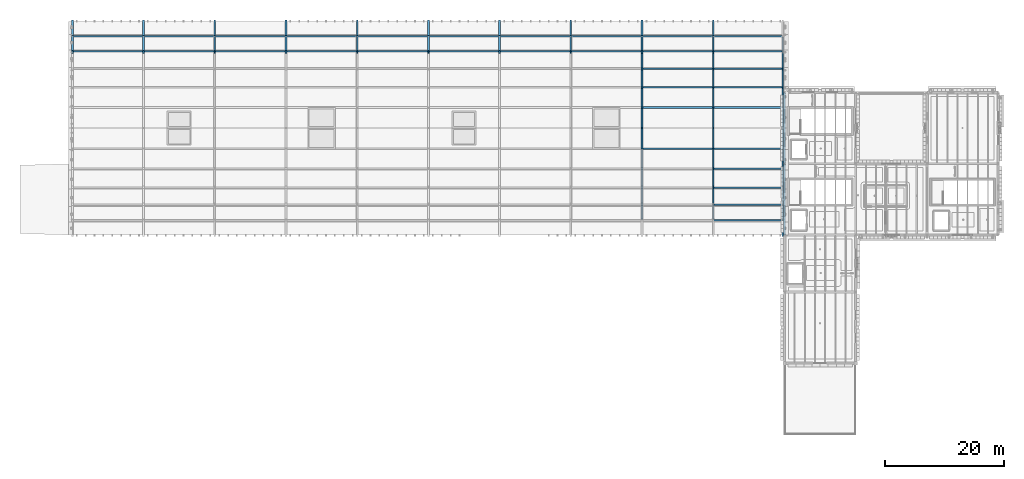
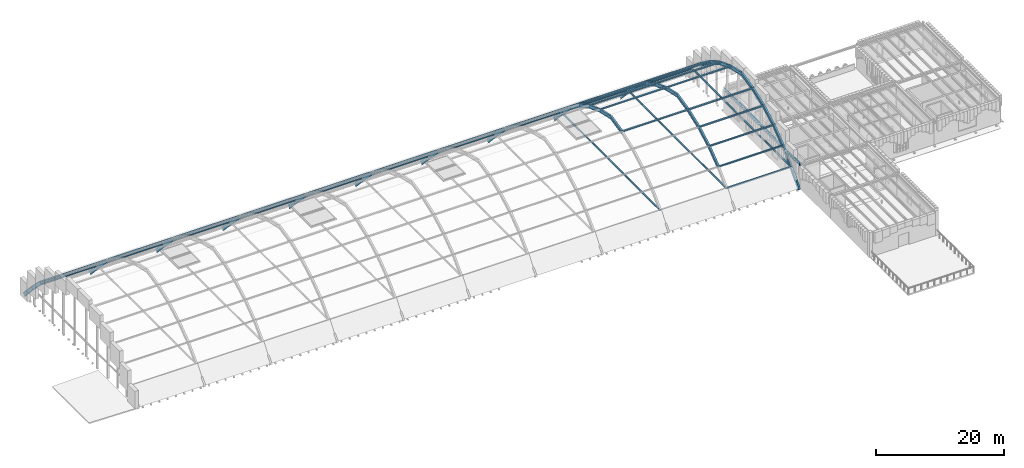
# One storey, part 7 of 35: 77 beams, 3 members.
"""IFC4 building model written with IfcOpenShell, lengths in metres."""

from ifc_helpers import new_model, si_unit, direction, frame, origin, origin_2d, place, context, subcontext, project, spatial, hollow_circle, i_section, extrude, material, material_profile, profile_set, type_object, element, save


model = new_model("IFC4")

# Units and contexts
model_context = context("Model", 3, precision=1e-05, world=origin(), true_north=direction((0.0, 1.0)))
body_context = subcontext(model_context, "Body", "Model", "MODEL_VIEW")
ifc_project = project(units=[si_unit("LENGTHUNIT", "METRE"), si_unit("AREAUNIT", "SQUARE_METRE"), si_unit("VOLUMEUNIT", "CUBIC_METRE"), si_unit("PLANEANGLEUNIT", "RADIAN"), si_unit("MASSUNIT", "GRAM", prefix="KILO")], contexts=[model_context])

# Site, building, storey
site_placement = place(None, origin())
site = spatial("IfcSite", under=ifc_project, at=site_placement, CompositionType="ELEMENT")
building_placement = place(site_placement, origin())
building = spatial("IfcBuilding", under=site, at=building_placement, Name="Zlatogorsky Bluff Art Gallery", CompositionType="ELEMENT")
storey_placement = place(building_placement, frame((0.0, 0.0, 23.39990234375)))
storey = spatial("IfcBuildingStorey", under=building, at=storey_placement, Name="L04", CompositionType="ELEMENT", Elevation=23.39990234375)

# Beams
ifc_material = material(Name="Steel S355", Category="steel")
ifc_material_profile_1 = material_profile(ifc_material, i_section(OverallWidth=0.300048828125, OverallDepth=0.389892578125, WebThickness=0.010986328125, FlangeThickness=0.01904296875, FilletRadius=0.027099609375, at=origin_2d()), Name="HEA 400")
ifc_profile_set_1 = profile_set([ifc_material_profile_1], Name="Steel S355")
beam_type_1 = type_object("IfcBeamType", Name="Beam BM-09 HEA 400", PredefinedType="BEAM", material=ifc_profile_set_1)
for number, where, z_axis, x_axis, name in (
    (1, (120.0, 84.014892578125, 4.364990234375), (0.0, 1.0, 0.0), (-1.0, 0.0, 0.0), "Primary girder BM-09 L04 L/9-10"),
    (2, (120.0, 96.014892578125, 4.364990234375), (0.0, 1.0, 0.0), (-1.0, 0.0, 0.0), "Primary girder BM-09 L04 L/10-11"),
):
    element("IfcBeam", number, at=place(storey_placement, frame(where, z_axis=z_axis, x_axis=x_axis)), inside=storey, type_object=beam_type_1, Name=name, PredefinedType="BEAM", context=body_context, shape_type="SweptSolid", body=[
        extrude(i_section(OverallWidth=0.300048828125, OverallDepth=0.389892578125, WebThickness=0.010986328125, FlangeThickness=0.01904296875, FilletRadius=0.027099609375, at=origin_2d()), origin(), (0.0, 0.0, 1.0), 11.97021484375),
    ])
ifc_material_profile_2 = material_profile(ifc_material, i_section(OverallWidth=0.260009765625, OverallDepth=0.25, WebThickness=0.007568359375, FlangeThickness=0.012451171875, FilletRadius=0.02392578125, at=origin_2d()), Name="HEA 260")
ifc_profile_set_2 = profile_set([ifc_material_profile_2], Name="Steel S355")
beam_type_2 = type_object("IfcBeamType", Name="Beam PR-01 HEA 260", PredefinedType="BEAM", material=ifc_profile_set_2)
for number, where, z_axis, x_axis, name in (
    (3, (0.06494140625, 114.94189453125, 5.247802734375), (1.0, 0.0, 0.0), (0.0, 1.0, 0.0), "Barrel vault longitudinal purlin bay 1 node 10"),
    (4, (0.06494140625, 117.504638671875, 2.688720703125), (1.0, 0.0, 0.0), (0.0, 1.0, 0.0), "Barrel vault longitudinal purlin bay 1 node 11"),
):
    element("IfcBeam", number, at=place(storey_placement, frame(where, z_axis=z_axis, x_axis=x_axis)), inside=storey, type_object=beam_type_2, Name=name, PredefinedType="BEAM", context=body_context, shape_type="SweptSolid", body=[
        extrude(i_section(OverallWidth=0.260009765625, OverallDepth=0.25, WebThickness=0.007568359375, FlangeThickness=0.012451171875, FilletRadius=0.02392578125, at=origin_2d()), origin(), (0.0, 0.0, 1.0), 11.920166015625),
    ])
for number, where, z_axis, x_axis, name in (
    (5, (12.014892578125, 114.94189453125, 5.247802734375), (1.0, 0.0, 0.0), (0.0, 1.0, 0.0), "Barrel vault longitudinal purlin bay 2 node 10"),
    (6, (12.014892578125, 117.504638671875, 2.688720703125), (1.0, 0.0, 0.0), (0.0, 1.0, 0.0), "Barrel vault longitudinal purlin bay 2 node 11"),
    (7, (24.014892578125, 114.94189453125, 5.247802734375), (1.0, 0.0, 0.0), (0.0, 1.0, 0.0), "Barrel vault longitudinal purlin bay 3 node 10"),
    (8, (24.014892578125, 117.504638671875, 2.688720703125), (1.0, 0.0, 0.0), (0.0, 1.0, 0.0), "Barrel vault longitudinal purlin bay 3 node 11"),
    (9, (36.014892578125, 114.94189453125, 5.247802734375), (1.0, 0.0, 0.0), (0.0, 1.0, 0.0), "Barrel vault longitudinal purlin bay 4 node 10"),
    (10, (36.014892578125, 117.504638671875, 2.688720703125), (1.0, 0.0, 0.0), (0.0, 1.0, 0.0), "Barrel vault longitudinal purlin bay 4 node 11"),
    (11, (48.014892578125, 114.94189453125, 5.247802734375), (1.0, 0.0, 0.0), (0.0, 1.0, 0.0), "Barrel vault longitudinal purlin bay 5 node 10"),
    (12, (48.014892578125, 117.504638671875, 2.688720703125), (1.0, 0.0, 0.0), (0.0, 1.0, 0.0), "Barrel vault longitudinal purlin bay 5 node 11"),
    (13, (60.014892578125, 114.94189453125, 5.247802734375), (1.0, 0.0, 0.0), (0.0, 1.0, 0.0), "Barrel vault longitudinal purlin bay 6 node 10"),
    (14, (60.014892578125, 117.504638671875, 2.688720703125), (1.0, 0.0, 0.0), (0.0, 1.0, 0.0), "Barrel vault longitudinal purlin bay 6 node 11"),
    (15, (72.014892578125, 114.94189453125, 5.247802734375), (1.0, 0.0, 0.0), (0.0, 1.0, 0.0), "Barrel vault longitudinal purlin bay 7 node 10"),
    (16, (72.014892578125, 117.504638671875, 2.688720703125), (1.0, 0.0, 0.0), (0.0, 1.0, 0.0), "Barrel vault longitudinal purlin bay 7 node 11"),
    (17, (84.014892578125, 114.94189453125, 5.247802734375), (1.0, 0.0, 0.0), (0.0, 1.0, 0.0), "Barrel vault longitudinal purlin bay 8 node 10"),
    (18, (84.014892578125, 117.504638671875, 2.688720703125), (1.0, 0.0, 0.0), (0.0, 1.0, 0.0), "Barrel vault longitudinal purlin bay 8 node 11"),
    (19, (96.014892578125, 98.520751953125, 10.438232421875), (1.0, 0.0, 0.0), (0.0, 1.0, 0.0), "Barrel vault longitudinal purlin bay 9 node 5"),
    (20, (96.014892578125, 105.479248046875, 10.438232421875), (1.0, 0.0, 0.0), (0.0, 1.0, 0.0), "Barrel vault longitudinal purlin bay 9 node 7"),
    (21, (96.014892578125, 108.868408203125, 9.16162109375), (1.0, 0.0, 0.0), (0.0, 1.0, 0.0), "Barrel vault longitudinal purlin bay 9 node 8"),
    (22, (96.014892578125, 112.0439453125, 7.419921875), (1.0, 0.0, 0.0), (0.0, 1.0, 0.0), "Barrel vault longitudinal purlin bay 9 node 9"),
    (23, (96.014892578125, 114.94189453125, 5.247802734375), (1.0, 0.0, 0.0), (0.0, 1.0, 0.0), "Barrel vault longitudinal purlin bay 9 node 10"),
    (24, (96.014892578125, 117.504638671875, 2.688720703125), (1.0, 0.0, 0.0), (0.0, 1.0, 0.0), "Barrel vault longitudinal purlin bay 9 node 11"),
):
    element("IfcBeam", number, at=place(storey_placement, frame(where, z_axis=z_axis, x_axis=x_axis)), inside=storey, type_object=beam_type_2, Name=name, PredefinedType="BEAM", context=body_context, shape_type="SweptSolid", body=[
        extrude(i_section(OverallWidth=0.260009765625, OverallDepth=0.25, WebThickness=0.007568359375, FlangeThickness=0.012451171875, FilletRadius=0.02392578125, at=origin_2d()), origin(), (0.0, 0.0, 1.0), 11.97021484375),
    ])
for number, where, z_axis, x_axis, name in (
    (25, (108.014892578125, 86.495361328125, 2.688720703125), (1.0, 0.0, 0.0), (0.0, 1.0, 0.0), "Barrel vault longitudinal purlin bay 10 node 1"),
    (26, (108.014892578125, 89.05810546875, 5.247802734375), (1.0, 0.0, 0.0), (0.0, 1.0, 0.0), "Barrel vault longitudinal purlin bay 10 node 2"),
    (27, (108.014892578125, 91.9560546875, 7.419921875), (1.0, 0.0, 0.0), (0.0, 1.0, 0.0), "Barrel vault longitudinal purlin bay 10 node 3"),
    (28, (108.014892578125, 95.131591796875, 9.16162109375), (1.0, 0.0, 0.0), (0.0, 1.0, 0.0), "Barrel vault longitudinal purlin bay 10 node 4"),
    (29, (108.014892578125, 98.520751953125, 10.438232421875), (1.0, 0.0, 0.0), (0.0, 1.0, 0.0), "Barrel vault longitudinal purlin bay 10 node 5"),
    (30, (108.014892578125, 105.479248046875, 10.438232421875), (1.0, 0.0, 0.0), (0.0, 1.0, 0.0), "Barrel vault longitudinal purlin bay 10 node 7"),
    (31, (108.014892578125, 108.868408203125, 9.16162109375), (1.0, 0.0, 0.0), (0.0, 1.0, 0.0), "Barrel vault longitudinal purlin bay 10 node 8"),
    (32, (108.014892578125, 112.0439453125, 7.419921875), (1.0, 0.0, 0.0), (0.0, 1.0, 0.0), "Barrel vault longitudinal purlin bay 10 node 9"),
    (33, (108.014892578125, 114.94189453125, 5.247802734375), (1.0, 0.0, 0.0), (0.0, 1.0, 0.0), "Barrel vault longitudinal purlin bay 10 node 10"),
    (34, (108.014892578125, 117.504638671875, 2.688720703125), (1.0, 0.0, 0.0), (0.0, 1.0, 0.0), "Barrel vault longitudinal purlin bay 10 node 11"),
):
    element("IfcBeam", number, at=place(storey_placement, frame(where, z_axis=z_axis, x_axis=x_axis)), inside=storey, type_object=beam_type_2, Name=name, PredefinedType="BEAM", context=body_context, shape_type="SweptSolid", body=[
        extrude(i_section(OverallWidth=0.260009765625, OverallDepth=0.25, WebThickness=0.007568359375, FlangeThickness=0.012451171875, FilletRadius=0.02392578125, at=origin_2d()), origin(), (0.0, 0.0, 1.0), 11.670166015625),
    ])
ifc_material_profile_3 = material_profile(ifc_material, i_section(OverallWidth=0.300048828125, OverallDepth=0.64990234375, WebThickness=0.01611328125, FlangeThickness=0.031005859375, FilletRadius=0.027099609375, at=origin_2d()), Name="HEB 650")
ifc_profile_set_3 = profile_set([ifc_material_profile_3], Name="Steel S355")
beam_type_3 = type_object("IfcBeamType", Name="Beam VR-01 HEB 650", PredefinedType="BEAM", material=ifc_profile_set_3)
beam_1_placement = place(storey_placement, frame((0.050048828125, 114.83056640625, 5.119140625), z_axis=(0.0, 0.707615576313, -0.706597619696), x_axis=(-1.0, 0.0, 0.0)))
element("IfcBeam", 35, at=beam_1_placement, inside=storey, type_object=beam_type_3, Name="Barrel vault pointed arch rib VR-01 A.11", PredefinedType="BEAM", context=body_context, shape_type="SweptSolid", body=[
    extrude(i_section(OverallWidth=0.300048828125, OverallDepth=0.64990234375, WebThickness=0.01611328125, FlangeThickness=0.031005859375, FilletRadius=0.027099609375, at=origin_2d()), origin(), (0.0, 0.0, 1.0), 3.597412109375),
])
beam_2_placement = place(storey_placement, frame((0.050048828125, 117.376220703125, 2.5771484375), z_axis=(0.0, 0.677448622917, -0.735570094082), x_axis=(-1.0, 0.0, 0.0)))
element("IfcBeam", 36, at=beam_2_placement, inside=storey, type_object=beam_type_3, Name="Barrel vault pointed arch rib VR-01 A.12", PredefinedType="BEAM", context=body_context, shape_type="SweptSolid", body=[
    extrude(i_section(OverallWidth=0.300048828125, OverallDepth=0.64990234375, WebThickness=0.01611328125, FlangeThickness=0.031005859375, FilletRadius=0.027099609375, at=origin_2d()), origin(), (0.0, 0.0, 1.0), 3.843505859375),
])
beam_3_placement = place(storey_placement, frame((12.0, 114.83056640625, 5.119140625), z_axis=(0.0, 0.707615576313, -0.706597619696), x_axis=(-1.0, 0.0, 0.0)))
element("IfcBeam", 37, at=beam_3_placement, inside=storey, type_object=beam_type_3, Name="Barrel vault pointed arch rib VR-01 B.11", PredefinedType="BEAM", context=body_context, shape_type="SweptSolid", body=[
    extrude(i_section(OverallWidth=0.300048828125, OverallDepth=0.64990234375, WebThickness=0.01611328125, FlangeThickness=0.031005859375, FilletRadius=0.027099609375, at=origin_2d()), origin(), (0.0, 0.0, 1.0), 3.597412109375),
])
beam_4_placement = place(storey_placement, frame((12.0, 117.376220703125, 2.5771484375), z_axis=(0.0, 0.677448622917, -0.735570094082), x_axis=(-1.0, 0.0, 0.0)))
element("IfcBeam", 38, at=beam_4_placement, inside=storey, type_object=beam_type_3, Name="Barrel vault pointed arch rib VR-01 B.12", PredefinedType="BEAM", context=body_context, shape_type="SweptSolid", body=[
    extrude(i_section(OverallWidth=0.300048828125, OverallDepth=0.64990234375, WebThickness=0.01611328125, FlangeThickness=0.031005859375, FilletRadius=0.027099609375, at=origin_2d()), origin(), (0.0, 0.0, 1.0), 3.843505859375),
])
beam_5_placement = place(storey_placement, frame((24.0, 114.83056640625, 5.119140625), z_axis=(0.0, 0.707615576313, -0.706597619696), x_axis=(-1.0, 0.0, 0.0)))
element("IfcBeam", 39, at=beam_5_placement, inside=storey, type_object=beam_type_3, Name="Barrel vault pointed arch rib VR-01 C.11", PredefinedType="BEAM", context=body_context, shape_type="SweptSolid", body=[
    extrude(i_section(OverallWidth=0.300048828125, OverallDepth=0.64990234375, WebThickness=0.01611328125, FlangeThickness=0.031005859375, FilletRadius=0.027099609375, at=origin_2d()), origin(), (0.0, 0.0, 1.0), 3.597412109375),
])
beam_6_placement = place(storey_placement, frame((24.0, 117.376220703125, 2.5771484375), z_axis=(0.0, 0.677448622917, -0.735570094082), x_axis=(-1.0, 0.0, 0.0)))
element("IfcBeam", 40, at=beam_6_placement, inside=storey, type_object=beam_type_3, Name="Barrel vault pointed arch rib VR-01 C.12", PredefinedType="BEAM", context=body_context, shape_type="SweptSolid", body=[
    extrude(i_section(OverallWidth=0.300048828125, OverallDepth=0.64990234375, WebThickness=0.01611328125, FlangeThickness=0.031005859375, FilletRadius=0.027099609375, at=origin_2d()), origin(), (0.0, 0.0, 1.0), 3.843505859375),
])
beam_7_placement = place(storey_placement, frame((36.0, 114.83056640625, 5.119140625), z_axis=(0.0, 0.707615576313, -0.706597619696), x_axis=(-1.0, 0.0, 0.0)))
element("IfcBeam", 41, at=beam_7_placement, inside=storey, type_object=beam_type_3, Name="Barrel vault pointed arch rib VR-01 D.11", PredefinedType="BEAM", context=body_context, shape_type="SweptSolid", body=[
    extrude(i_section(OverallWidth=0.300048828125, OverallDepth=0.64990234375, WebThickness=0.01611328125, FlangeThickness=0.031005859375, FilletRadius=0.027099609375, at=origin_2d()), origin(), (0.0, 0.0, 1.0), 3.597412109375),
])
beam_8_placement = place(storey_placement, frame((36.0, 117.376220703125, 2.5771484375), z_axis=(0.0, 0.677448622917, -0.735570094082), x_axis=(-1.0, 0.0, 0.0)))
element("IfcBeam", 42, at=beam_8_placement, inside=storey, type_object=beam_type_3, Name="Barrel vault pointed arch rib VR-01 D.12", PredefinedType="BEAM", context=body_context, shape_type="SweptSolid", body=[
    extrude(i_section(OverallWidth=0.300048828125, OverallDepth=0.64990234375, WebThickness=0.01611328125, FlangeThickness=0.031005859375, FilletRadius=0.027099609375, at=origin_2d()), origin(), (0.0, 0.0, 1.0), 3.843505859375),
])
beam_9_placement = place(storey_placement, frame((48.0, 114.83056640625, 5.119140625), z_axis=(0.0, 0.707615576313, -0.706597619696), x_axis=(-1.0, 0.0, 0.0)))
element("IfcBeam", 43, at=beam_9_placement, inside=storey, type_object=beam_type_3, Name="Barrel vault pointed arch rib VR-01 E.11", PredefinedType="BEAM", context=body_context, shape_type="SweptSolid", body=[
    extrude(i_section(OverallWidth=0.300048828125, OverallDepth=0.64990234375, WebThickness=0.01611328125, FlangeThickness=0.031005859375, FilletRadius=0.027099609375, at=origin_2d()), origin(), (0.0, 0.0, 1.0), 3.597412109375),
])
beam_10_placement = place(storey_placement, frame((48.0, 117.376220703125, 2.5771484375), z_axis=(0.0, 0.677448622917, -0.735570094082), x_axis=(-1.0, 0.0, 0.0)))
element("IfcBeam", 44, at=beam_10_placement, inside=storey, type_object=beam_type_3, Name="Barrel vault pointed arch rib VR-01 E.12", PredefinedType="BEAM", context=body_context, shape_type="SweptSolid", body=[
    extrude(i_section(OverallWidth=0.300048828125, OverallDepth=0.64990234375, WebThickness=0.01611328125, FlangeThickness=0.031005859375, FilletRadius=0.027099609375, at=origin_2d()), origin(), (0.0, 0.0, 1.0), 3.843505859375),
])
beam_11_placement = place(storey_placement, frame((60.0, 114.83056640625, 5.119140625), z_axis=(0.0, 0.707615576313, -0.706597619696), x_axis=(-1.0, 0.0, 0.0)))
element("IfcBeam", 45, at=beam_11_placement, inside=storey, type_object=beam_type_3, Name="Barrel vault pointed arch rib VR-01 F.11", PredefinedType="BEAM", context=body_context, shape_type="SweptSolid", body=[
    extrude(i_section(OverallWidth=0.300048828125, OverallDepth=0.64990234375, WebThickness=0.01611328125, FlangeThickness=0.031005859375, FilletRadius=0.027099609375, at=origin_2d()), origin(), (0.0, 0.0, 1.0), 3.597412109375),
])
beam_12_placement = place(storey_placement, frame((60.0, 117.376220703125, 2.5771484375), z_axis=(0.0, 0.677448622917, -0.735570094082), x_axis=(-1.0, 0.0, 0.0)))
element("IfcBeam", 46, at=beam_12_placement, inside=storey, type_object=beam_type_3, Name="Barrel vault pointed arch rib VR-01 F.12", PredefinedType="BEAM", context=body_context, shape_type="SweptSolid", body=[
    extrude(i_section(OverallWidth=0.300048828125, OverallDepth=0.64990234375, WebThickness=0.01611328125, FlangeThickness=0.031005859375, FilletRadius=0.027099609375, at=origin_2d()), origin(), (0.0, 0.0, 1.0), 3.843505859375),
])
beam_13_placement = place(storey_placement, frame((72.0, 114.83056640625, 5.119140625), z_axis=(0.0, 0.707615576313, -0.706597619696), x_axis=(-1.0, 0.0, 0.0)))
element("IfcBeam", 47, at=beam_13_placement, inside=storey, type_object=beam_type_3, Name="Barrel vault pointed arch rib VR-01 G.11", PredefinedType="BEAM", context=body_context, shape_type="SweptSolid", body=[
    extrude(i_section(OverallWidth=0.300048828125, OverallDepth=0.64990234375, WebThickness=0.01611328125, FlangeThickness=0.031005859375, FilletRadius=0.027099609375, at=origin_2d()), origin(), (0.0, 0.0, 1.0), 3.597412109375),
])
beam_14_placement = place(storey_placement, frame((72.0, 117.376220703125, 2.5771484375), z_axis=(0.0, 0.677448622917, -0.735570094082), x_axis=(-1.0, 0.0, 0.0)))
element("IfcBeam", 48, at=beam_14_placement, inside=storey, type_object=beam_type_3, Name="Barrel vault pointed arch rib VR-01 G.12", PredefinedType="BEAM", context=body_context, shape_type="SweptSolid", body=[
    extrude(i_section(OverallWidth=0.300048828125, OverallDepth=0.64990234375, WebThickness=0.01611328125, FlangeThickness=0.031005859375, FilletRadius=0.027099609375, at=origin_2d()), origin(), (0.0, 0.0, 1.0), 3.843505859375),
])
beam_15_placement = place(storey_placement, frame((84.0, 114.83056640625, 5.119140625), z_axis=(0.0, 0.707615576313, -0.706597619696), x_axis=(-1.0, 0.0, 0.0)))
element("IfcBeam", 49, at=beam_15_placement, inside=storey, type_object=beam_type_3, Name="Barrel vault pointed arch rib VR-01 H.11", PredefinedType="BEAM", context=body_context, shape_type="SweptSolid", body=[
    extrude(i_section(OverallWidth=0.300048828125, OverallDepth=0.64990234375, WebThickness=0.01611328125, FlangeThickness=0.031005859375, FilletRadius=0.027099609375, at=origin_2d()), origin(), (0.0, 0.0, 1.0), 3.597412109375),
])
beam_16_placement = place(storey_placement, frame((84.0, 117.376220703125, 2.5771484375), z_axis=(0.0, 0.677448622917, -0.735570094082), x_axis=(-1.0, 0.0, 0.0)))
element("IfcBeam", 50, at=beam_16_placement, inside=storey, type_object=beam_type_3, Name="Barrel vault pointed arch rib VR-01 H.12", PredefinedType="BEAM", context=body_context, shape_type="SweptSolid", body=[
    extrude(i_section(OverallWidth=0.300048828125, OverallDepth=0.64990234375, WebThickness=0.01611328125, FlangeThickness=0.031005859375, FilletRadius=0.027099609375, at=origin_2d()), origin(), (0.0, 0.0, 1.0), 3.843505859375),
])
for number, where, z_axis, x_axis, name in (
    (51, (96.0, 98.5693359375, 10.275390625), (0.0, 0.97544148317, 0.220258740827), (-1.0, 0.0, 0.0), "Barrel vault pointed arch rib VR-01 J.6"),
    (52, (96.0, 102.0, 11.050048828125), (0.0, 0.97544148317, -0.220258740827), (-1.0, 0.0, 0.0), "Barrel vault pointed arch rib VR-01 J.7"),
):
    element("IfcBeam", number, at=place(storey_placement, frame(where, z_axis=z_axis, x_axis=x_axis)), inside=storey, type_object=beam_type_3, Name=name, PredefinedType="BEAM", context=body_context, shape_type="SweptSolid", body=[
        extrude(i_section(OverallWidth=0.300048828125, OverallDepth=0.64990234375, WebThickness=0.01611328125, FlangeThickness=0.031005859375, FilletRadius=0.027099609375, at=origin_2d()), origin(), (0.0, 0.0, 1.0), 3.51708984375),
    ])
beam_17_placement = place(storey_placement, frame((96.0, 105.4306640625, 10.275390625), z_axis=(0.0, 0.935806673687, -0.352513644392), x_axis=(-1.0, 0.0, 0.0)))
element("IfcBeam", 53, at=beam_17_placement, inside=storey, type_object=beam_type_3, Name="Barrel vault pointed arch rib VR-01 J.8", PredefinedType="BEAM", context=body_context, shape_type="SweptSolid", body=[
    extrude(i_section(OverallWidth=0.300048828125, OverallDepth=0.64990234375, WebThickness=0.01611328125, FlangeThickness=0.031005859375, FilletRadius=0.027099609375, at=origin_2d()), origin(), (0.0, 0.0, 1.0), 3.597900390625),
])
beam_18_placement = place(storey_placement, frame((96.0, 108.797607421875, 9.007080078125), z_axis=(0.0, 0.876744100789, -0.480957151659), x_axis=(-1.0, 0.0, 0.0)))
element("IfcBeam", 54, at=beam_18_placement, inside=storey, type_object=beam_type_3, Name="Barrel vault pointed arch rib VR-01 J.9", PredefinedType="BEAM", context=body_context, shape_type="SweptSolid", body=[
    extrude(i_section(OverallWidth=0.300048828125, OverallDepth=0.64990234375, WebThickness=0.01611328125, FlangeThickness=0.031005859375, FilletRadius=0.027099609375, at=origin_2d()), origin(), (0.0, 0.0, 1.0), 3.597412109375),
])
beam_19_placement = place(storey_placement, frame((96.0, 111.95166015625, 7.27685546875), z_axis=(0.0, 0.800195391986, -0.599739388939), x_axis=(-1.0, 0.0, 0.0)))
element("IfcBeam", 55, at=beam_19_placement, inside=storey, type_object=beam_type_3, Name="Barrel vault pointed arch rib VR-01 J.10", PredefinedType="BEAM", context=body_context, shape_type="SweptSolid", body=[
    extrude(i_section(OverallWidth=0.300048828125, OverallDepth=0.64990234375, WebThickness=0.01611328125, FlangeThickness=0.031005859375, FilletRadius=0.027099609375, at=origin_2d()), origin(), (0.0, 0.0, 1.0), 3.59765625),
])
beam_20_placement = place(storey_placement, frame((96.0, 114.83056640625, 5.119140625), z_axis=(0.0, 0.707615576313, -0.706597619696), x_axis=(-1.0, 0.0, 0.0)))
element("IfcBeam", 56, at=beam_20_placement, inside=storey, type_object=beam_type_3, Name="Barrel vault pointed arch rib VR-01 J.11", PredefinedType="BEAM", context=body_context, shape_type="SweptSolid", body=[
    extrude(i_section(OverallWidth=0.300048828125, OverallDepth=0.64990234375, WebThickness=0.01611328125, FlangeThickness=0.031005859375, FilletRadius=0.027099609375, at=origin_2d()), origin(), (0.0, 0.0, 1.0), 3.597412109375),
])
beam_21_placement = place(storey_placement, frame((96.0, 117.376220703125, 2.5771484375), z_axis=(0.0, 0.677448622917, -0.735570094082), x_axis=(-1.0, 0.0, 0.0)))
element("IfcBeam", 57, at=beam_21_placement, inside=storey, type_object=beam_type_3, Name="Barrel vault pointed arch rib VR-01 J.12", PredefinedType="BEAM", context=body_context, shape_type="SweptSolid", body=[
    extrude(i_section(OverallWidth=0.300048828125, OverallDepth=0.64990234375, WebThickness=0.01611328125, FlangeThickness=0.031005859375, FilletRadius=0.027099609375, at=origin_2d()), origin(), (0.0, 0.0, 1.0), 3.843505859375),
])
beam_22_placement = place(storey_placement, frame((108.0, 89.16943359375, 5.119140625), z_axis=(0.0, 0.800195391986, 0.599739388939), x_axis=(-1.0, 0.0, 0.0)))
element("IfcBeam", 58, at=beam_22_placement, inside=storey, type_object=beam_type_3, Name="Barrel vault pointed arch rib VR-01 K.3", PredefinedType="BEAM", context=body_context, shape_type="SweptSolid", body=[
    extrude(i_section(OverallWidth=0.300048828125, OverallDepth=0.64990234375, WebThickness=0.01611328125, FlangeThickness=0.031005859375, FilletRadius=0.027099609375, at=origin_2d()), origin(), (0.0, 0.0, 1.0), 3.59765625),
])
beam_23_placement = place(storey_placement, frame((108.0, 92.04833984375, 7.27685546875), z_axis=(0.0, 0.876744100789, 0.480957151659), x_axis=(-1.0, 0.0, 0.0)))
element("IfcBeam", 59, at=beam_23_placement, inside=storey, type_object=beam_type_3, Name="Barrel vault pointed arch rib VR-01 K.4", PredefinedType="BEAM", context=body_context, shape_type="SweptSolid", body=[
    extrude(i_section(OverallWidth=0.300048828125, OverallDepth=0.64990234375, WebThickness=0.01611328125, FlangeThickness=0.031005859375, FilletRadius=0.027099609375, at=origin_2d()), origin(), (0.0, 0.0, 1.0), 3.597412109375),
])
beam_24_placement = place(storey_placement, frame((108.0, 95.202392578125, 9.007080078125), z_axis=(0.0, 0.935806673687, 0.352513644392), x_axis=(-1.0, 0.0, 0.0)))
element("IfcBeam", 60, at=beam_24_placement, inside=storey, type_object=beam_type_3, Name="Barrel vault pointed arch rib VR-01 K.5", PredefinedType="BEAM", context=body_context, shape_type="SweptSolid", body=[
    extrude(i_section(OverallWidth=0.300048828125, OverallDepth=0.64990234375, WebThickness=0.01611328125, FlangeThickness=0.031005859375, FilletRadius=0.027099609375, at=origin_2d()), origin(), (0.0, 0.0, 1.0), 3.597900390625),
])
for number, where, z_axis, x_axis, name in (
    (61, (108.0, 98.5693359375, 10.275390625), (0.0, 0.97544148317, 0.220258740827), (-1.0, 0.0, 0.0), "Barrel vault pointed arch rib VR-01 K.6"),
    (62, (108.0, 102.0, 11.050048828125), (0.0, 0.97544148317, -0.220258740827), (-1.0, 0.0, 0.0), "Barrel vault pointed arch rib VR-01 K.7"),
):
    element("IfcBeam", number, at=place(storey_placement, frame(where, z_axis=z_axis, x_axis=x_axis)), inside=storey, type_object=beam_type_3, Name=name, PredefinedType="BEAM", context=body_context, shape_type="SweptSolid", body=[
        extrude(i_section(OverallWidth=0.300048828125, OverallDepth=0.64990234375, WebThickness=0.01611328125, FlangeThickness=0.031005859375, FilletRadius=0.027099609375, at=origin_2d()), origin(), (0.0, 0.0, 1.0), 3.51708984375),
    ])
beam_25_placement = place(storey_placement, frame((108.0, 105.4306640625, 10.275390625), z_axis=(0.0, 0.935806673687, -0.352513644392), x_axis=(-1.0, 0.0, 0.0)))
element("IfcBeam", 63, at=beam_25_placement, inside=storey, type_object=beam_type_3, Name="Barrel vault pointed arch rib VR-01 K.8", PredefinedType="BEAM", context=body_context, shape_type="SweptSolid", body=[
    extrude(i_section(OverallWidth=0.300048828125, OverallDepth=0.64990234375, WebThickness=0.01611328125, FlangeThickness=0.031005859375, FilletRadius=0.027099609375, at=origin_2d()), origin(), (0.0, 0.0, 1.0), 3.597900390625),
])
beam_26_placement = place(storey_placement, frame((108.0, 108.797607421875, 9.007080078125), z_axis=(0.0, 0.876744100789, -0.480957151659), x_axis=(-1.0, 0.0, 0.0)))
element("IfcBeam", 64, at=beam_26_placement, inside=storey, type_object=beam_type_3, Name="Barrel vault pointed arch rib VR-01 K.9", PredefinedType="BEAM", context=body_context, shape_type="SweptSolid", body=[
    extrude(i_section(OverallWidth=0.300048828125, OverallDepth=0.64990234375, WebThickness=0.01611328125, FlangeThickness=0.031005859375, FilletRadius=0.027099609375, at=origin_2d()), origin(), (0.0, 0.0, 1.0), 3.597412109375),
])
beam_27_placement = place(storey_placement, frame((108.0, 111.95166015625, 7.27685546875), z_axis=(0.0, 0.800195391986, -0.599739388939), x_axis=(-1.0, 0.0, 0.0)))
element("IfcBeam", 65, at=beam_27_placement, inside=storey, type_object=beam_type_3, Name="Barrel vault pointed arch rib VR-01 K.10", PredefinedType="BEAM", context=body_context, shape_type="SweptSolid", body=[
    extrude(i_section(OverallWidth=0.300048828125, OverallDepth=0.64990234375, WebThickness=0.01611328125, FlangeThickness=0.031005859375, FilletRadius=0.027099609375, at=origin_2d()), origin(), (0.0, 0.0, 1.0), 3.59765625),
])
beam_28_placement = place(storey_placement, frame((108.0, 114.83056640625, 5.119140625), z_axis=(0.0, 0.707615576313, -0.706597619696), x_axis=(-1.0, 0.0, 0.0)))
element("IfcBeam", 66, at=beam_28_placement, inside=storey, type_object=beam_type_3, Name="Barrel vault pointed arch rib VR-01 K.11", PredefinedType="BEAM", context=body_context, shape_type="SweptSolid", body=[
    extrude(i_section(OverallWidth=0.300048828125, OverallDepth=0.64990234375, WebThickness=0.01611328125, FlangeThickness=0.031005859375, FilletRadius=0.027099609375, at=origin_2d()), origin(), (0.0, 0.0, 1.0), 3.597412109375),
])
for number, where, z_axis, x_axis, name in (
    (67, (108.0, 117.376220703125, 2.5771484375), (0.0, 0.677448622917, -0.735570094082), (-1.0, 0.0, 0.0), "Barrel vault pointed arch rib VR-01 K.12"),
    (68, (119.699951171875, 84.02001953125, -0.25), (0.0, 0.677448622917, 0.735570094082), (-1.0, 0.0, 0.0), "Barrel vault pointed arch rib VR-01 L.1"),
):
    element("IfcBeam", number, at=place(storey_placement, frame(where, z_axis=z_axis, x_axis=x_axis)), inside=storey, type_object=beam_type_3, Name=name, PredefinedType="BEAM", context=body_context, shape_type="SweptSolid", body=[
        extrude(i_section(OverallWidth=0.300048828125, OverallDepth=0.64990234375, WebThickness=0.01611328125, FlangeThickness=0.031005859375, FilletRadius=0.027099609375, at=origin_2d()), origin(), (0.0, 0.0, 1.0), 3.843505859375),
    ])
beam_29_placement = place(storey_placement, frame((119.699951171875, 86.623779296875, 2.5771484375), z_axis=(0.0, 0.707615576313, 0.706597619696), x_axis=(-1.0, 0.0, 0.0)))
element("IfcBeam", 69, at=beam_29_placement, inside=storey, type_object=beam_type_3, Name="Barrel vault pointed arch rib VR-01 L.2", PredefinedType="BEAM", context=body_context, shape_type="SweptSolid", body=[
    extrude(i_section(OverallWidth=0.300048828125, OverallDepth=0.64990234375, WebThickness=0.01611328125, FlangeThickness=0.031005859375, FilletRadius=0.027099609375, at=origin_2d()), origin(), (0.0, 0.0, 1.0), 3.597412109375),
])
beam_30_placement = place(storey_placement, frame((119.699951171875, 89.16943359375, 5.119140625), z_axis=(0.0, 0.800195391986, 0.599739388939), x_axis=(-1.0, 0.0, 0.0)))
element("IfcBeam", 70, at=beam_30_placement, inside=storey, type_object=beam_type_3, Name="Barrel vault pointed arch rib VR-01 L.3", PredefinedType="BEAM", context=body_context, shape_type="SweptSolid", body=[
    extrude(i_section(OverallWidth=0.300048828125, OverallDepth=0.64990234375, WebThickness=0.01611328125, FlangeThickness=0.031005859375, FilletRadius=0.027099609375, at=origin_2d()), origin(), (0.0, 0.0, 1.0), 3.59765625),
])
beam_31_placement = place(storey_placement, frame((119.699951171875, 92.04833984375, 7.27685546875), z_axis=(0.0, 0.876744100789, 0.480957151659), x_axis=(-1.0, 0.0, 0.0)))
element("IfcBeam", 71, at=beam_31_placement, inside=storey, type_object=beam_type_3, Name="Barrel vault pointed arch rib VR-01 L.4", PredefinedType="BEAM", context=body_context, shape_type="SweptSolid", body=[
    extrude(i_section(OverallWidth=0.300048828125, OverallDepth=0.64990234375, WebThickness=0.01611328125, FlangeThickness=0.031005859375, FilletRadius=0.027099609375, at=origin_2d()), origin(), (0.0, 0.0, 1.0), 3.597412109375),
])
beam_32_placement = place(storey_placement, frame((119.699951171875, 95.202392578125, 9.007080078125), z_axis=(0.0, 0.935806673687, 0.352513644392), x_axis=(-1.0, 0.0, 0.0)))
element("IfcBeam", 72, at=beam_32_placement, inside=storey, type_object=beam_type_3, Name="Barrel vault pointed arch rib VR-01 L.5", PredefinedType="BEAM", context=body_context, shape_type="SweptSolid", body=[
    extrude(i_section(OverallWidth=0.300048828125, OverallDepth=0.64990234375, WebThickness=0.01611328125, FlangeThickness=0.031005859375, FilletRadius=0.027099609375, at=origin_2d()), origin(), (0.0, 0.0, 1.0), 3.597900390625),
])
for number, where, z_axis, x_axis, name in (
    (73, (119.699951171875, 98.5693359375, 10.275390625), (0.0, 0.97544148317, 0.220258740827), (-1.0, 0.0, 0.0), "Barrel vault pointed arch rib VR-01 L.6"),
    (74, (119.699951171875, 102.0, 11.050048828125), (0.0, 0.97544148317, -0.220258740827), (-1.0, 0.0, 0.0), "Barrel vault pointed arch rib VR-01 L.7"),
):
    element("IfcBeam", number, at=place(storey_placement, frame(where, z_axis=z_axis, x_axis=x_axis)), inside=storey, type_object=beam_type_3, Name=name, PredefinedType="BEAM", context=body_context, shape_type="SweptSolid", body=[
        extrude(i_section(OverallWidth=0.300048828125, OverallDepth=0.64990234375, WebThickness=0.01611328125, FlangeThickness=0.031005859375, FilletRadius=0.027099609375, at=origin_2d()), origin(), (0.0, 0.0, 1.0), 3.51708984375),
    ])
beam_33_placement = place(storey_placement, frame((119.699951171875, 105.4306640625, 10.275390625), z_axis=(0.0, 0.935806673687, -0.352513644392), x_axis=(-1.0, 0.0, 0.0)))
element("IfcBeam", 75, at=beam_33_placement, inside=storey, type_object=beam_type_3, Name="Barrel vault pointed arch rib VR-01 L.8", PredefinedType="BEAM", context=body_context, shape_type="SweptSolid", body=[
    extrude(i_section(OverallWidth=0.300048828125, OverallDepth=0.64990234375, WebThickness=0.01611328125, FlangeThickness=0.031005859375, FilletRadius=0.027099609375, at=origin_2d()), origin(), (0.0, 0.0, 1.0), 3.597900390625),
])
beam_34_placement = place(storey_placement, frame((119.699951171875, 108.797607421875, 9.007080078125), z_axis=(0.0, 0.876744100789, -0.480957151659), x_axis=(-1.0, 0.0, 0.0)))
element("IfcBeam", 76, at=beam_34_placement, inside=storey, type_object=beam_type_3, Name="Barrel vault pointed arch rib VR-01 L.9", PredefinedType="BEAM", context=body_context, shape_type="SweptSolid", body=[
    extrude(i_section(OverallWidth=0.300048828125, OverallDepth=0.64990234375, WebThickness=0.01611328125, FlangeThickness=0.031005859375, FilletRadius=0.027099609375, at=origin_2d()), origin(), (0.0, 0.0, 1.0), 3.597412109375),
])
beam_35_placement = place(storey_placement, frame((119.699951171875, 111.95166015625, 7.27685546875), z_axis=(0.0, 0.800195391986, -0.599739388939), x_axis=(-1.0, 0.0, 0.0)))
element("IfcBeam", 77, at=beam_35_placement, inside=storey, type_object=beam_type_3, Name="Barrel vault pointed arch rib VR-01 L.10", PredefinedType="BEAM", context=body_context, shape_type="SweptSolid", body=[
    extrude(i_section(OverallWidth=0.300048828125, OverallDepth=0.64990234375, WebThickness=0.01611328125, FlangeThickness=0.031005859375, FilletRadius=0.027099609375, at=origin_2d()), origin(), (0.0, 0.0, 1.0), 3.59765625),
])

# Members
ifc_material_profile_4 = material_profile(ifc_material, hollow_circle(Radius=0.161865234375, WallThickness=0.01611328125, at=origin_2d()), Name="CHS 323.9x16")
ifc_profile_set_4 = profile_set([ifc_material_profile_4], Name="Steel S355")
member_type = type_object("IfcMemberType", Name="Member VT-01 CHS 323.9x16", PredefinedType="STRUT", material=ifc_profile_set_4)
for number, where, z_axis, x_axis, name in (
    (78, (96.0, 86.623779296875, 2.5771484375), (0.0, 1.0, 0.0), (-1.0, 0.0, 0.0), "Barrel vault springing tension tie VT-01 Grid J"),
    (79, (108.0, 86.623779296875, 2.5771484375), (0.0, 1.0, 0.0), (-1.0, 0.0, 0.0), "Barrel vault springing tension tie VT-01 Grid K"),
    (80, (119.699951171875, 86.623779296875, 2.5771484375), (0.0, 1.0, 0.0), (-1.0, 0.0, 0.0), "Barrel vault springing tension tie VT-01 Grid L"),
):
    element("IfcMember", number, at=place(storey_placement, frame(where, z_axis=z_axis, x_axis=x_axis)), inside=storey, type_object=member_type, Name=name, PredefinedType="STRUT", context=body_context, shape_type="SweptSolid", body=[
        extrude(hollow_circle(Radius=0.161865234375, WallThickness=0.01611328125, at=origin_2d()), origin(), (0.0, 0.0, 1.0), 30.75244140625),
    ])

save(model, "model.ifc")
